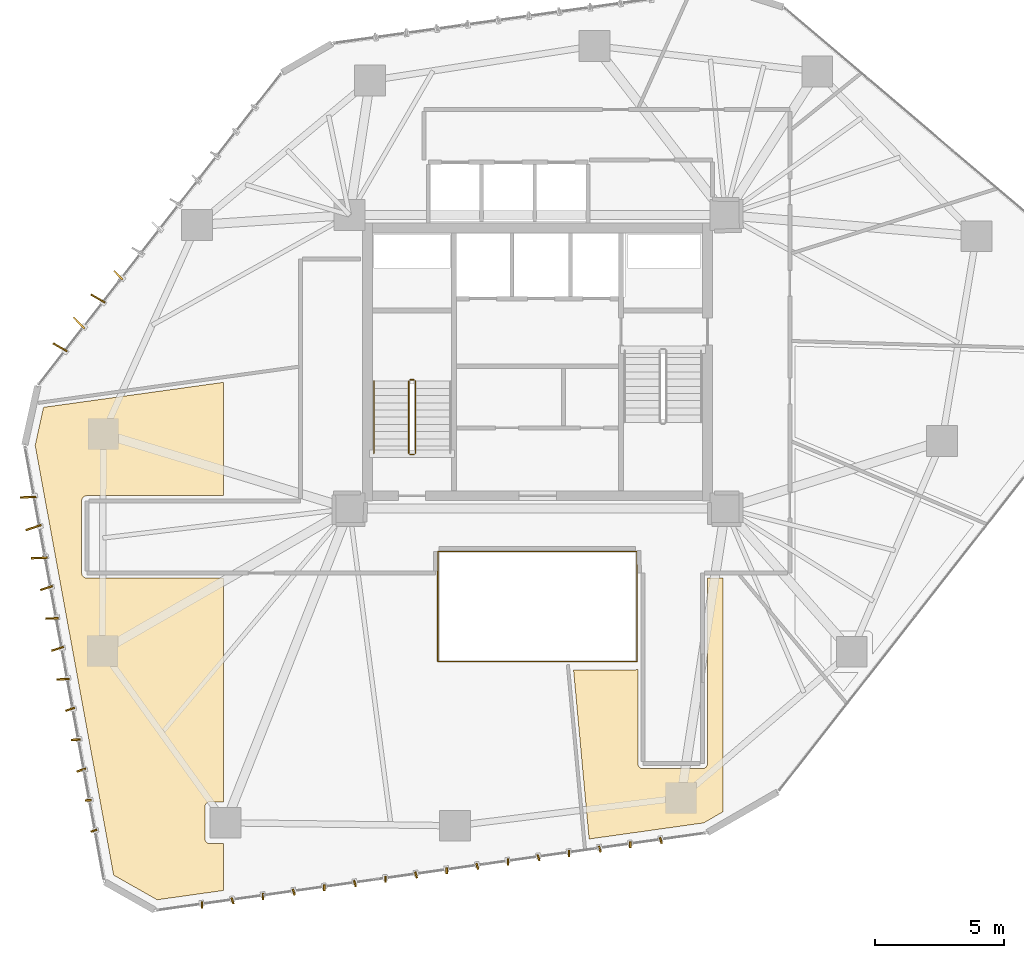
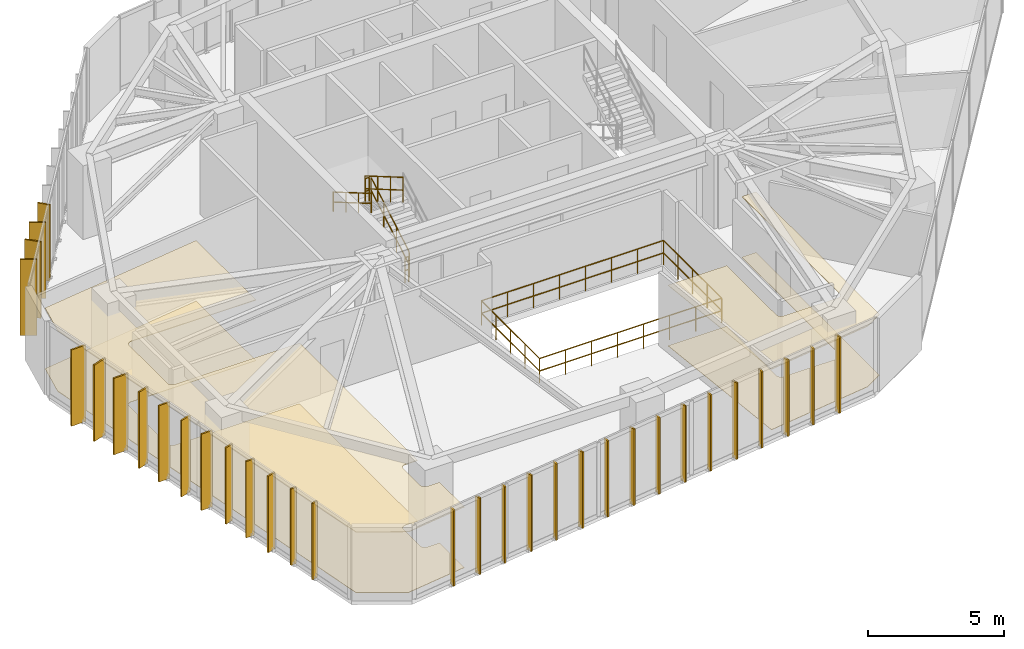
# One storey, part 22 of 24: 32 shading devices, 9 railings, 4 coverings.
"""IFC4 building model written with IfcOpenShell, lengths in metres."""

from ifc_helpers import new_model, si_unit, direction, frame, origin, origin_2d, place, context, subcontext, project, spatial, polyline, rectangle, circle, outline, extrude, source, transform, mapped, material, layer, layer_set, type_object, type_shapes, element, save


model = new_model("IFC4")

# Units and contexts
model_context = context("Model", 3, precision=1e-05, world=origin(), true_north=direction((0.0, 1.0)))
body_context = subcontext(model_context, "Body", "Model", "MODEL_VIEW")
ifc_project = project(units=[si_unit("LENGTHUNIT", "METRE"), si_unit("AREAUNIT", "SQUARE_METRE"), si_unit("VOLUMEUNIT", "CUBIC_METRE"), si_unit("PLANEANGLEUNIT", "RADIAN"), si_unit("MASSUNIT", "GRAM", prefix="KILO")], contexts=[model_context])

# Site, building, storey
site_placement = place(None, origin())
site = spatial("IfcSite", under=ifc_project, at=site_placement, CompositionType="ELEMENT")
building_placement = place(site_placement, origin())
building = spatial("IfcBuilding", under=site, at=building_placement, Name="Talar Marvaseh", CompositionType="ELEMENT")
storey_placement = place(building_placement, frame((0.0, 0.0, 114.60009765625)))
storey = spatial("IfcBuildingStorey", under=building, at=storey_placement, Name="L29", CompositionType="ELEMENT", Elevation=114.60009765625)

# Railings
ifc_material_1 = material(Name="Stainless Steel Grade 316", Category="steel")
railing_type_1 = type_object("IfcRailingType", Name="Brushed Stainless Wall Pitch Handrail 900", PredefinedType="HANDRAIL", material=ifc_material_1)
railing_1_placement = place(storey_placement, frame((19.64990234375, 30.449951171875, 1.963623046875)))
element("IfcRailing", 1, at=railing_1_placement, inside=storey, type_object=railing_type_1, Name="L29 ST-1 stair handrail 2", PredefinedType="HANDRAIL", context=body_context, shape_type="SweptSolid", body=[
    extrude(circle(Radius=0.02392578125, at=origin_2d()), frame((0.0, 0.0, 0.8759765625), z_axis=(0.0, -0.863393664356, 0.504530851732), x_axis=(1.0, 0.0, 0.0)), (0.0, 0.0, 1.0), 3.2431640625),
    extrude(circle(Radius=0.02392578125, at=origin_2d()), frame((0.0, 0.0, 0.42578125), z_axis=(0.0, -0.863393664356, 0.504530851732), x_axis=(1.0, 0.0, 0.0)), (0.0, 0.0, 1.0), 3.2431640625),
    extrude(circle(Radius=0.02099609375, at=origin_2d()), origin(), (0.0, 0.0, 1.0), 0.851806640625),
    extrude(circle(Radius=0.02099609375, at=origin_2d()), frame((0.0, -0.933349609375, 0.54541015625)), (0.0, 0.0, 1.0), 0.851806640625),
    extrude(circle(Radius=0.02099609375, at=origin_2d()), frame((0.0, -1.86669921875, 1.0908203125)), (0.0, 0.0, 1.0), 0.851806640625),
    extrude(circle(Radius=0.02099609375, at=origin_2d()), frame((0.0, -2.800048828125, 1.63623046875)), (0.0, 0.0, 1.0), 0.851806640625),
])
ifc_material_2 = material(Name="Tempered Clear Glass", Category="glass")
railing_type_2 = type_object("IfcRailingType", Name="Interior Atrium Edge Balustrade 1120", PredefinedType="BALUSTRADE", material=ifc_material_2)
railing_2_placement = place(storey_placement, frame((22.1298828125, 19.561279296875, 0.0)))
element("IfcRailing", 2, at=railing_2_placement, inside=storey, type_object=railing_type_2, Name="L29 Internal Daylight Atrium Balustrade 1", PredefinedType="BALUSTRADE", context=body_context, shape_type="SweptSolid", body=[
    extrude(circle(Radius=0.02392578125, at=origin_2d()), frame((0.0, 0.0, 1.09619140625), z_axis=(1.0, 0.0, 0.0), x_axis=(0.0, 1.0, 0.0)), (0.0, 0.0, 1.0), 7.740234375),
    extrude(circle(Radius=0.02392578125, at=origin_2d()), frame((0.0, 0.0, 0.5361328125), z_axis=(1.0, 0.0, 0.0), x_axis=(0.0, 1.0, 0.0)), (0.0, 0.0, 1.0), 7.740234375),
    extrude(circle(Radius=0.02099609375, at=origin_2d()), origin(), (0.0, 0.0, 1.0), 1.072021484375),
    extrude(circle(Radius=0.02099609375, at=origin_2d()), frame((1.105712890625, 0.0, 0.0)), (0.0, 0.0, 1.0), 1.072021484375),
    extrude(circle(Radius=0.02099609375, at=origin_2d()), frame((2.21142578125, 0.0, 0.0)), (0.0, 0.0, 1.0), 1.072021484375),
    extrude(circle(Radius=0.02099609375, at=origin_2d()), frame((3.317138671875, 0.0, 0.0)), (0.0, 0.0, 1.0), 1.072021484375),
    extrude(circle(Radius=0.02099609375, at=origin_2d()), frame((4.423095703125, 0.0, 0.0)), (0.0, 0.0, 1.0), 1.072021484375),
    extrude(circle(Radius=0.02099609375, at=origin_2d()), frame((5.52880859375, 0.0, 0.0)), (0.0, 0.0, 1.0), 1.072021484375),
    extrude(circle(Radius=0.02099609375, at=origin_2d()), frame((6.634521484375, 0.0, 0.0)), (0.0, 0.0, 1.0), 1.072021484375),
    extrude(circle(Radius=0.02099609375, at=origin_2d()), frame((7.740234375, 0.0, 0.0)), (0.0, 0.0, 1.0), 1.072021484375),
])
railing_3_placement = place(storey_placement, frame((29.8701171875, 19.561279296875, 0.0)))
element("IfcRailing", 3, at=railing_3_placement, inside=storey, type_object=railing_type_2, Name="L29 Internal Daylight Atrium Balustrade 2", PredefinedType="BALUSTRADE", context=body_context, shape_type="SweptSolid", body=[
    extrude(circle(Radius=0.02392578125, at=origin_2d()), frame((0.0, 0.0, 1.09619140625), z_axis=(0.0, 1.0, 0.0), x_axis=(-1.0, 0.0, 0.0)), (0.0, 0.0, 1.0), 4.27734375),
    extrude(circle(Radius=0.02392578125, at=origin_2d()), frame((0.0, 0.0, 0.5361328125), z_axis=(0.0, 1.0, 0.0), x_axis=(-1.0, 0.0, 0.0)), (0.0, 0.0, 1.0), 4.27734375),
    extrude(circle(Radius=0.02099609375, at=origin_2d()), origin(), (0.0, 0.0, 1.0), 1.072021484375),
    extrude(circle(Radius=0.02099609375, at=origin_2d()), frame((0.0, 1.0693359375, 0.0)), (0.0, 0.0, 1.0), 1.072021484375),
    extrude(circle(Radius=0.02099609375, at=origin_2d()), frame((0.0, 2.138671875, 0.0)), (0.0, 0.0, 1.0), 1.072021484375),
    extrude(circle(Radius=0.02099609375, at=origin_2d()), frame((0.0, 3.2080078125, 0.0)), (0.0, 0.0, 1.0), 1.072021484375),
    extrude(circle(Radius=0.02099609375, at=origin_2d()), frame((0.0, 4.27734375, 0.0)), (0.0, 0.0, 1.0), 1.072021484375),
])
railing_4_placement = place(storey_placement, frame((29.8701171875, 23.838623046875, 0.0)))
element("IfcRailing", 4, at=railing_4_placement, inside=storey, type_object=railing_type_2, Name="L29 Internal Daylight Atrium Balustrade 3", PredefinedType="BALUSTRADE", context=body_context, shape_type="SweptSolid", body=[
    extrude(circle(Radius=0.02392578125, at=origin_2d()), frame((0.0, 0.0, 1.09619140625), z_axis=(-1.0, 0.0, 0.0), x_axis=(0.0, -1.0, 0.0)), (0.0, 0.0, 1.0), 7.740234375),
    extrude(circle(Radius=0.02392578125, at=origin_2d()), frame((0.0, 0.0, 0.5361328125), z_axis=(-1.0, 0.0, 0.0), x_axis=(0.0, -1.0, 0.0)), (0.0, 0.0, 1.0), 7.740234375),
    extrude(circle(Radius=0.02099609375, at=origin_2d()), origin(), (0.0, 0.0, 1.0), 1.072021484375),
    extrude(circle(Radius=0.02099609375, at=origin_2d()), frame((-1.105712890625, 0.0, 0.0)), (0.0, 0.0, 1.0), 1.072021484375),
    extrude(circle(Radius=0.02099609375, at=origin_2d()), frame((-2.21142578125, 0.0, 0.0)), (0.0, 0.0, 1.0), 1.072021484375),
    extrude(circle(Radius=0.02099609375, at=origin_2d()), frame((-3.317138671875, 0.0, 0.0)), (0.0, 0.0, 1.0), 1.072021484375),
    extrude(circle(Radius=0.02099609375, at=origin_2d()), frame((-4.423095703125, 0.0, 0.0)), (0.0, 0.0, 1.0), 1.072021484375),
    extrude(circle(Radius=0.02099609375, at=origin_2d()), frame((-5.52880859375, 0.0, 0.0)), (0.0, 0.0, 1.0), 1.072021484375),
    extrude(circle(Radius=0.02099609375, at=origin_2d()), frame((-6.634521484375, 0.0, 0.0)), (0.0, 0.0, 1.0), 1.072021484375),
    extrude(circle(Radius=0.02099609375, at=origin_2d()), frame((-7.740234375, 0.0, 0.0)), (0.0, 0.0, 1.0), 1.072021484375),
])
railing_5_placement = place(storey_placement, frame((22.1298828125, 23.838623046875, 0.0)))
element("IfcRailing", 5, at=railing_5_placement, inside=storey, type_object=railing_type_2, Name="L29 Internal Daylight Atrium Balustrade 4", PredefinedType="BALUSTRADE", context=body_context, shape_type="SweptSolid", body=[
    extrude(circle(Radius=0.02392578125, at=origin_2d()), frame((0.0, 0.0, 1.09619140625), z_axis=(0.0, -1.0, 0.0), x_axis=(1.0, 0.0, 0.0)), (0.0, 0.0, 1.0), 4.27734375),
    extrude(circle(Radius=0.02392578125, at=origin_2d()), frame((0.0, 0.0, 0.5361328125), z_axis=(0.0, -1.0, 0.0), x_axis=(1.0, 0.0, 0.0)), (0.0, 0.0, 1.0), 4.27734375),
    extrude(circle(Radius=0.02099609375, at=origin_2d()), origin(), (0.0, 0.0, 1.0), 1.072021484375),
    extrude(circle(Radius=0.02099609375, at=origin_2d()), frame((0.0, -1.0693359375, 0.0)), (0.0, 0.0, 1.0), 1.072021484375),
    extrude(circle(Radius=0.02099609375, at=origin_2d()), frame((0.0, -2.138671875, 0.0)), (0.0, 0.0, 1.0), 1.072021484375),
    extrude(circle(Radius=0.02099609375, at=origin_2d()), frame((0.0, -3.2080078125, 0.0)), (0.0, 0.0, 1.0), 1.072021484375),
    extrude(circle(Radius=0.02099609375, at=origin_2d()), frame((0.0, -4.27734375, 0.0)), (0.0, 0.0, 1.0), 1.072021484375),
])
railing_type_3 = type_object("IfcRailingType", Name="Painted Steel Core Stair Well Guardrail 1150", PredefinedType="GUARDRAIL", material=ifc_material_1)
railing_6_placement = place(storey_placement, frame((21.260009765625, 27.64990234375, 0.16357421875)))
element("IfcRailing", 6, at=railing_6_placement, inside=storey, type_object=railing_type_3, Name="L29 ST-1 stair guard 1", PredefinedType="GUARDRAIL", context=body_context, shape_type="SweptSolid", body=[
    extrude(circle(Radius=0.02392578125, at=origin_2d()), frame((0.0, 0.0, 1.1259765625), z_axis=(0.0, 0.863393664356, 0.504530851732), x_axis=(-1.0, 0.0, 0.0)), (0.0, 0.0, 1.0), 3.2431640625),
    extrude(circle(Radius=0.02392578125, at=origin_2d()), frame((0.0, 0.0, 0.55078125), z_axis=(0.0, 0.863393664356, 0.504530851732), x_axis=(-1.0, 0.0, 0.0)), (0.0, 0.0, 1.0), 3.2431640625),
    extrude(circle(Radius=0.02099609375, at=origin_2d()), origin(), (0.0, 0.0, 1.0), 1.101806640625),
    extrude(circle(Radius=0.02099609375, at=origin_2d()), frame((0.0, 0.933349609375, 0.54541015625)), (0.0, 0.0, 1.0), 1.101806640625),
    extrude(circle(Radius=0.02099609375, at=origin_2d()), frame((0.0, 1.86669921875, 1.0908203125)), (0.0, 0.0, 1.0), 1.101806640625),
    extrude(circle(Radius=0.02099609375, at=origin_2d()), frame((0.0, 2.800048828125, 1.63623046875)), (0.0, 0.0, 1.0), 1.101806640625),
])
railing_7_placement = place(storey_placement, frame((21.2099609375, 30.5, 1.7998046875)))
element("IfcRailing", 7, at=railing_7_placement, inside=storey, type_object=railing_type_3, Name="L29 ST-1 stair guard 2", PredefinedType="GUARDRAIL", context=body_context, shape_type="SweptSolid", body=[
    extrude(circle(Radius=0.02392578125, at=origin_2d()), frame((0.0, 0.0, 1.1259765625), z_axis=(-1.0, 0.0, 0.0), x_axis=(0.0, -1.0, 0.0)), (0.0, 0.0, 1.0), 0.159912109375),
    extrude(circle(Radius=0.02392578125, at=origin_2d()), frame((0.0, 0.0, 0.55078125), z_axis=(-1.0, 0.0, 0.0), x_axis=(0.0, -1.0, 0.0)), (0.0, 0.0, 1.0), 0.159912109375),
    extrude(circle(Radius=0.02099609375, at=origin_2d()), origin(), (0.0, 0.0, 1.0), 1.101806640625),
    extrude(circle(Radius=0.02099609375, at=origin_2d()), frame((-0.159912109375, 0.0, 0.0)), (0.0, 0.0, 1.0), 1.101806640625),
])
railing_8_placement = place(storey_placement, frame((21.0, 30.449951171875, 1.963623046875)))
element("IfcRailing", 8, at=railing_8_placement, inside=storey, type_object=railing_type_3, Name="L29 ST-1 stair guard 3", PredefinedType="GUARDRAIL", context=body_context, shape_type="SweptSolid", body=[
    extrude(circle(Radius=0.02392578125, at=origin_2d()), frame((0.0, 0.0, 1.1259765625), z_axis=(0.0, -0.863393664356, 0.504530851732), x_axis=(1.0, 0.0, 0.0)), (0.0, 0.0, 1.0), 3.2431640625),
    extrude(circle(Radius=0.02392578125, at=origin_2d()), frame((0.0, 0.0, 0.55078125), z_axis=(0.0, -0.863393664356, 0.504530851732), x_axis=(1.0, 0.0, 0.0)), (0.0, 0.0, 1.0), 3.2431640625),
    extrude(circle(Radius=0.02099609375, at=origin_2d()), origin(), (0.0, 0.0, 1.0), 1.101806640625),
    extrude(circle(Radius=0.02099609375, at=origin_2d()), frame((0.0, -0.933349609375, 0.54541015625)), (0.0, 0.0, 1.0), 1.101806640625),
    extrude(circle(Radius=0.02099609375, at=origin_2d()), frame((0.0, -1.86669921875, 1.0908203125)), (0.0, 0.0, 1.0), 1.101806640625),
    extrude(circle(Radius=0.02099609375, at=origin_2d()), frame((0.0, -2.800048828125, 1.63623046875)), (0.0, 0.0, 1.0), 1.101806640625),
])
railing_9_placement = place(storey_placement, frame((21.2099609375, 27.60009765625, 0.0)))
element("IfcRailing", 9, at=railing_9_placement, inside=storey, type_object=railing_type_3, Name="L29 ST-1 stair guard 4", PredefinedType="GUARDRAIL", context=body_context, shape_type="SweptSolid", body=[
    extrude(circle(Radius=0.02392578125, at=origin_2d()), frame((0.0, 0.0, 1.1259765625), z_axis=(-1.0, 0.0, 0.0), x_axis=(0.0, -1.0, 0.0)), (0.0, 0.0, 1.0), 0.159912109375),
    extrude(circle(Radius=0.02392578125, at=origin_2d()), frame((0.0, 0.0, 0.55078125), z_axis=(-1.0, 0.0, 0.0), x_axis=(0.0, -1.0, 0.0)), (0.0, 0.0, 1.0), 0.159912109375),
    extrude(circle(Radius=0.02099609375, at=origin_2d()), origin(), (0.0, 0.0, 1.0), 1.101806640625),
    extrude(circle(Radius=0.02099609375, at=origin_2d()), frame((-0.159912109375, 0.0, 0.0)), (0.0, 0.0, 1.0), 1.101806640625),
])

# Coverings
ifc_material_3 = material(Name="Mineral Fibre Acoustic Ceiling")
ifc_layer_1 = layer(ifc_material_3, 0.02490234375)
ifc_layer_set_1 = layer_set([ifc_layer_1], Name="Mineral Fibre Acoustic Ceiling")
covering_type_1 = type_object("IfcCoveringType", Name="Perforated Mineral Fibre Acoustic Suspended Ceiling", PredefinedType="CEILING", material=ifc_layer_set_1)
covering_1_placement = place(storey_placement, frame((0.0, 0.0, 2.719970703125)))
element("IfcCovering", 10, at=covering_1_placement, inside=storey, type_object=covering_type_1, Name="L29 Curatorial Office Acoustic Ceiling", PredefinedType="CEILING", context=body_context, shape_type="SweptSolid", body=[
    extrude(outline(polyline([(6.818115234375, 29.433349609375), (13.800048828125, 30.4033203125), (13.800048828125, 26.0), (8.5, 26.0), (8.48046875, 25.9990234375), (8.4609375, 25.99609375), (8.44189453125, 25.991455078125), (8.423583984375, 25.98486328125), (8.40576171875, 25.976318359375), (8.388916015625, 25.96630859375), (8.373046875, 25.95458984375), (8.358642578125, 25.94140625), (8.345458984375, 25.927001953125), (8.333740234375, 25.9111328125), (8.323486328125, 25.894287109375), (8.315185546875, 25.87646484375), (8.30859375, 25.858154296875), (8.3037109375, 25.839111328125), (8.301025390625, 25.819580078125), (8.300048828125, 25.800048828125), (8.300048828125, 23.0), (8.301025390625, 22.98046875), (8.3037109375, 22.9609375), (8.30859375, 22.94189453125), (8.315185546875, 22.923583984375), (8.323486328125, 22.90576171875), (8.333740234375, 22.888916015625), (8.345458984375, 22.873046875), (8.358642578125, 22.858642578125), (8.373046875, 22.845458984375), (8.388916015625, 22.833740234375), (8.40576171875, 22.823486328125), (8.423583984375, 22.815185546875), (8.44189453125, 22.80859375), (8.4609375, 22.8037109375), (8.48046875, 22.801025390625), (8.5, 22.800048828125), (13.800048828125, 22.800048828125), (13.800048828125, 14.111572265625), (13.27978515625, 14.109619140625), (13.260009765625, 14.108642578125), (13.24072265625, 14.105712890625), (13.2216796875, 14.100830078125), (13.203369140625, 14.09423828125), (13.185791015625, 14.085693359375), (13.1689453125, 14.07568359375), (13.1533203125, 14.06396484375), (13.138671875, 14.05078125), (13.12548828125, 14.0361328125), (13.114013671875, 14.0205078125), (13.10400390625, 14.003662109375), (13.095703125, 13.986083984375), (13.089111328125, 13.967529296875), (13.084228515625, 13.948486328125), (13.081298828125, 13.92919921875), (13.080322265625, 13.90966796875), (13.080322265625, 12.6884765625), (13.081298828125, 12.668701171875), (13.084228515625, 12.6494140625), (13.089111328125, 12.63037109375), (13.095703125, 12.61181640625), (13.10400390625, 12.593994140625), (13.114013671875, 12.577392578125), (13.125732421875, 12.5615234375), (13.138916015625, 12.547119140625), (13.153564453125, 12.53369140625), (13.169189453125, 12.522216796875), (13.18603515625, 12.511962890625), (13.203857421875, 12.503662109375), (13.222412109375, 12.4970703125), (13.241455078125, 12.4921875), (13.2607421875, 12.489501953125), (13.280517578125, 12.48828125), (13.800048828125, 12.48828125), (13.800048828125, 10.66943359375), (11.2294921875, 10.307861328125), (9.540283203125, 11.266357421875), (6.49365234375, 27.954833984375), (6.818115234375, 29.433349609375)])), origin(), (0.0, 0.0, 1.0), 0.02490234375),
])
covering_2_placement = place(storey_placement, frame((0.0, 0.0, 2.719970703125)))
element("IfcCovering", 11, at=covering_2_placement, inside=storey, type_object=covering_type_1, Name="L29 Gallery Concierge Reception Acoustic Ceiling", PredefinedType="CEILING", context=body_context, shape_type="SweptSolid", body=[
    extrude(outline(polyline([(29.90087890625, 15.580322265625), (29.90380859375, 15.56103515625), (29.90869140625, 15.5419921875), (29.915283203125, 15.5234375), (29.923583984375, 15.505615234375), (29.93359375, 15.489013671875), (29.9453125, 15.47314453125), (29.95849609375, 15.45849609375), (29.97314453125, 15.4453125), (29.989013671875, 15.43359375), (30.005615234375, 15.423583984375), (30.0234375, 15.415283203125), (30.0419921875, 15.40869140625), (30.06103515625, 15.40380859375), (30.080322265625, 15.40087890625), (30.10009765625, 15.39990234375), (32.39990234375, 15.39990234375), (32.419677734375, 15.40087890625), (32.43896484375, 15.40380859375), (32.4580078125, 15.40869140625), (32.4765625, 15.415283203125), (32.494384765625, 15.423583984375), (32.510986328125, 15.43359375), (32.52685546875, 15.4453125), (32.54150390625, 15.45849609375), (32.5546875, 15.47314453125), (32.56640625, 15.489013671875), (32.576416015625, 15.505615234375), (32.584716796875, 15.5234375), (32.59130859375, 15.5419921875), (32.59619140625, 15.56103515625), (32.59912109375, 15.580322265625), (32.60009765625, 15.60009765625), (32.60009765625, 22.800048828125), (33.199951171875, 22.800048828125), (33.199951171875, 13.7236328125), (32.456298828125, 13.294189453125), (28.005859375, 12.668212890625), (27.401611328125, 19.239990234375), (29.800048828125, 19.239990234375), (29.819580078125, 19.240966796875), (29.839111328125, 19.243896484375), (29.89990234375, 19.256103515625), (29.89990234375, 15.60009765625), (29.90087890625, 15.580322265625)])), origin(), (0.0, 0.0, 1.0), 0.02490234375),
])
ifc_material_4 = material(Name="Porcelain Stoneware Tile", Category="masonry")
ifc_layer_2 = layer(ifc_material_4, 0.02001953125)
ifc_layer_set_2 = layer_set([ifc_layer_2], Name="Porcelain Stoneware Tile")
covering_type_2 = type_object("IfcCoveringType", Name="Polished Porcelain Stoneware Gallery Flooring", PredefinedType="FLOORING", material=ifc_layer_set_2)
covering_3_placement = place(storey_placement, origin())
element("IfcCovering", 12, at=covering_3_placement, inside=storey, type_object=covering_type_2, Name="L29 Curatorial Office Flooring", PredefinedType="FLOORING", context=body_context, shape_type="SweptSolid", body=[
    extrude(outline(polyline([(6.818115234375, 29.433349609375), (13.800048828125, 30.4033203125), (13.800048828125, 26.0), (8.5, 26.0), (8.48046875, 25.9990234375), (8.4609375, 25.99609375), (8.44189453125, 25.991455078125), (8.423583984375, 25.98486328125), (8.40576171875, 25.976318359375), (8.388916015625, 25.96630859375), (8.373046875, 25.95458984375), (8.358642578125, 25.94140625), (8.345458984375, 25.927001953125), (8.333740234375, 25.9111328125), (8.323486328125, 25.894287109375), (8.315185546875, 25.87646484375), (8.30859375, 25.858154296875), (8.3037109375, 25.839111328125), (8.301025390625, 25.819580078125), (8.300048828125, 25.800048828125), (8.300048828125, 23.0), (8.301025390625, 22.98046875), (8.3037109375, 22.9609375), (8.30859375, 22.94189453125), (8.315185546875, 22.923583984375), (8.323486328125, 22.90576171875), (8.333740234375, 22.888916015625), (8.345458984375, 22.873046875), (8.358642578125, 22.858642578125), (8.373046875, 22.845458984375), (8.388916015625, 22.833740234375), (8.40576171875, 22.823486328125), (8.423583984375, 22.815185546875), (8.44189453125, 22.80859375), (8.4609375, 22.8037109375), (8.48046875, 22.801025390625), (8.5, 22.800048828125), (13.800048828125, 22.800048828125), (13.800048828125, 14.111572265625), (13.27978515625, 14.109619140625), (13.260009765625, 14.108642578125), (13.24072265625, 14.105712890625), (13.2216796875, 14.100830078125), (13.203369140625, 14.09423828125), (13.185791015625, 14.085693359375), (13.1689453125, 14.07568359375), (13.1533203125, 14.06396484375), (13.138671875, 14.05078125), (13.12548828125, 14.0361328125), (13.114013671875, 14.0205078125), (13.10400390625, 14.003662109375), (13.095703125, 13.986083984375), (13.089111328125, 13.967529296875), (13.084228515625, 13.948486328125), (13.081298828125, 13.92919921875), (13.080322265625, 13.90966796875), (13.080322265625, 12.6884765625), (13.081298828125, 12.668701171875), (13.084228515625, 12.6494140625), (13.089111328125, 12.63037109375), (13.095703125, 12.61181640625), (13.10400390625, 12.593994140625), (13.114013671875, 12.577392578125), (13.125732421875, 12.5615234375), (13.138916015625, 12.547119140625), (13.153564453125, 12.53369140625), (13.169189453125, 12.522216796875), (13.18603515625, 12.511962890625), (13.203857421875, 12.503662109375), (13.222412109375, 12.4970703125), (13.241455078125, 12.4921875), (13.2607421875, 12.489501953125), (13.280517578125, 12.48828125), (13.800048828125, 12.48828125), (13.800048828125, 10.66943359375), (11.2294921875, 10.307861328125), (9.540283203125, 11.266357421875), (6.49365234375, 27.954833984375), (6.818115234375, 29.433349609375)])), origin(), (0.0, 0.0, 1.0), 0.02001953125),
])
covering_4_placement = place(storey_placement, origin())
element("IfcCovering", 13, at=covering_4_placement, inside=storey, type_object=covering_type_2, Name="L29 Gallery Concierge Reception Flooring", PredefinedType="FLOORING", context=body_context, shape_type="SweptSolid", body=[
    extrude(outline(polyline([(29.90087890625, 15.580322265625), (29.90380859375, 15.56103515625), (29.90869140625, 15.5419921875), (29.915283203125, 15.5234375), (29.923583984375, 15.505615234375), (29.93359375, 15.489013671875), (29.9453125, 15.47314453125), (29.95849609375, 15.45849609375), (29.97314453125, 15.4453125), (29.989013671875, 15.43359375), (30.005615234375, 15.423583984375), (30.0234375, 15.415283203125), (30.0419921875, 15.40869140625), (30.06103515625, 15.40380859375), (30.080322265625, 15.40087890625), (30.10009765625, 15.39990234375), (32.39990234375, 15.39990234375), (32.419677734375, 15.40087890625), (32.43896484375, 15.40380859375), (32.4580078125, 15.40869140625), (32.4765625, 15.415283203125), (32.494384765625, 15.423583984375), (32.510986328125, 15.43359375), (32.52685546875, 15.4453125), (32.54150390625, 15.45849609375), (32.5546875, 15.47314453125), (32.56640625, 15.489013671875), (32.576416015625, 15.505615234375), (32.584716796875, 15.5234375), (32.59130859375, 15.5419921875), (32.59619140625, 15.56103515625), (32.59912109375, 15.580322265625), (32.60009765625, 15.60009765625), (32.60009765625, 22.800048828125), (33.199951171875, 22.800048828125), (33.199951171875, 13.7236328125), (32.456298828125, 13.294189453125), (28.005859375, 12.668212890625), (27.401611328125, 19.239990234375), (29.800048828125, 19.239990234375), (29.819580078125, 19.240966796875), (29.839111328125, 19.243896484375), (29.89990234375, 19.256103515625), (29.89990234375, 15.60009765625), (29.90087890625, 15.580322265625)])), origin(), (0.0, 0.0, 1.0), 0.02001953125),
])

# Shading devices
ifc_material_5 = material(Name="Anodised Champagne Bronze Aluminium", Category="aluminium")
ifc_layer_3 = layer(ifc_material_5, 0.06494140625)
ifc_layer_set_3 = layer_set([ifc_layer_3], Name="Anodised Champagne Bronze Aluminium")
shading_device_type_1 = type_object("IfcShadingDeviceType", Name="Sawtooth Champagne Bronze Vertical Fin 240", PredefinedType="USERDEFINED", material=ifc_layer_set_3)
shared_shape_1 = source(origin(), body_context, "Body", "SweptSolid", [
    extrude(rectangle(XDim=0.239990234375, YDim=0.06494140625, at=origin_2d()), origin(), (0.0, 0.0, 1.0), 3.429931640625),
])
type_shapes(shading_device_type_1, [shared_shape_1])
for number, where, z_axis, x_axis, name in (
    (14, (8.772705078125, 12.993408203125, -0.1201171875), (0.0, 0.0, 1.0), (-0.949151106053, -0.314820866332, 0.0), "L29 Sawtooth Vertical Solar Fin"),
    (15, (8.55712890625, 14.173828125, -0.1201171875), (0.0, 0.0, 1.0), (-0.999158993058, -0.041003738744, 0.0), "L29 Sawtooth Vertical Solar Fin"),
    (16, (30.79248046875, 12.61083984375, -0.1201171875), (0.0, 0.0, 1.0), (0.275805123434, -0.961213573504, 0.0), "L29 Sawtooth Vertical Solar Fin"),
    (17, (29.604248046875, 12.443603515625, -0.1201171875), (0.0, 0.0, 1.0), (0.000174532924, -0.999999984769, 0.0), "L29 Sawtooth Vertical Solar Fin"),
    (18, (28.416015625, 12.276611328125, -0.1201171875), (0.0, 0.0, 1.0), (0.275805123434, -0.961213573504, 0.0), "L29 Sawtooth Vertical Solar Fin"),
    (19, (27.2275390625, 12.109375, -0.1201171875), (0.0, 0.0, 1.0), (0.000174532924, -0.999999984769, 0.0), "L29 Sawtooth Vertical Solar Fin"),
    (20, (26.039306640625, 11.942138671875, -0.1201171875), (0.0, 0.0, 1.0), (0.275805123434, -0.961213573504, 0.0), "L29 Sawtooth Vertical Solar Fin"),
    (21, (24.85107421875, 11.77490234375, -0.1201171875), (0.0, 0.0, 1.0), (0.000174532924, -0.999999984769, 0.0), "L29 Sawtooth Vertical Solar Fin"),
    (22, (23.66259765625, 11.60791015625, -0.1201171875), (0.0, 0.0, 1.0), (0.275805123434, -0.961213573504, 0.0), "L29 Sawtooth Vertical Solar Fin"),
    (23, (22.474365234375, 11.440673828125, -0.1201171875), (0.0, 0.0, 1.0), (0.000174532924, -0.999999984769, 0.0), "L29 Sawtooth Vertical Solar Fin"),
    (24, (21.2861328125, 11.2734375, -0.1201171875), (0.0, 0.0, 1.0), (0.275805123434, -0.961213573504, 0.0), "L29 Sawtooth Vertical Solar Fin"),
    (25, (20.097900390625, 11.106201171875, -0.1201171875), (0.0, 0.0, 1.0), (0.000174532924, -0.999999984769, 0.0), "L29 Sawtooth Vertical Solar Fin"),
    (26, (18.909423828125, 10.93896484375, -0.1201171875), (0.0, 0.0, 1.0), (0.275805123434, -0.961213573504, 0.0), "L29 Sawtooth Vertical Solar Fin"),
    (27, (17.72119140625, 10.771728515625, -0.1201171875), (0.0, 0.0, 1.0), (0.000174532924, -0.999999984769, 0.0), "L29 Sawtooth Vertical Solar Fin"),
    (28, (16.532958984375, 10.6044921875, -0.1201171875), (0.0, 0.0, 1.0), (0.275805123434, -0.961213573504, 0.0), "L29 Sawtooth Vertical Solar Fin"),
    (29, (15.3447265625, 10.4375, -0.1201171875), (0.0, 0.0, 1.0), (0.000174532924, -0.999999984769, 0.0), "L29 Sawtooth Vertical Solar Fin"),
    (30, (14.156494140625, 10.270263671875, -0.1201171875), (0.0, 0.0, 1.0), (0.275805123434, -0.961213573504, 0.0), "L29 Sawtooth Vertical Solar Fin"),
    (31, (12.968017578125, 10.10302734375, -0.1201171875), (0.0, 0.0, 1.0), (0.000174532924, -0.999999984769, 0.0), "L29 Sawtooth Vertical Solar Fin"),
):
    element("IfcShadingDevice", number, at=place(storey_placement, frame(where, z_axis=z_axis, x_axis=x_axis)), inside=storey, type_object=shading_device_type_1, Name=name, ObjectType="FIN", PredefinedType="USERDEFINED", context=body_context, shape_type="MappedRepresentation", body=[
        mapped(shared_shape_1, transform((0.0, 0.0, 0.0), x_axis=(1.0, 0.0, 0.0), y_axis=(0.0, 1.0, 0.0), z_axis=(0.0, 0.0, 1.0), scale=1.0)),
    ])
ifc_layer_4 = layer(ifc_material_5, 0.06494140625)
ifc_layer_set_4 = layer_set([ifc_layer_4], Name="Anodised Champagne Bronze Aluminium")
shading_device_type_2 = type_object("IfcShadingDeviceType", Name="Sawtooth Champagne Bronze Vertical Fin 360", PredefinedType="USERDEFINED", material=ifc_layer_set_4)
shared_shape_2 = source(origin(), body_context, "Body", "SweptSolid", [
    extrude(rectangle(XDim=0.360107421875, YDim=0.06494140625, at=origin_2d()), origin(), (0.0, 0.0, 1.0), 3.429931640625),
])
type_shapes(shading_device_type_2, [shared_shape_2])
for number, where, z_axis, x_axis, name in (
    (32, (8.28271484375, 15.34375, -0.1201171875), (0.0, 0.0, 1.0), (-0.949151106053, -0.314820866332, 0.0), "L29 Sawtooth Vertical Solar Fin"),
    (33, (8.067138671875, 16.524169921875, -0.1201171875), (0.0, 0.0, 1.0), (-0.999158993058, -0.041003738744, 0.0), "L29 Sawtooth Vertical Solar Fin"),
    (34, (7.8515625, 17.70458984375, -0.1201171875), (0.0, 0.0, 1.0), (-0.949151106053, -0.314820866332, 0.0), "L29 Sawtooth Vertical Solar Fin"),
):
    element("IfcShadingDevice", number, at=place(storey_placement, frame(where, z_axis=z_axis, x_axis=x_axis)), inside=storey, type_object=shading_device_type_2, Name=name, ObjectType="FIN", PredefinedType="USERDEFINED", context=body_context, shape_type="MappedRepresentation", body=[
        mapped(shared_shape_2, transform((0.0, 0.0, 0.0), x_axis=(1.0, 0.0, 0.0), y_axis=(0.0, 1.0, 0.0), z_axis=(0.0, 0.0, 1.0), scale=1.0)),
    ])
ifc_layer_5 = layer(ifc_material_5, 0.06494140625)
ifc_layer_set_5 = layer_set([ifc_layer_5], Name="Anodised Champagne Bronze Aluminium")
shading_device_type_3 = type_object("IfcShadingDeviceType", Name="Sawtooth Champagne Bronze Vertical Fin 480", PredefinedType="USERDEFINED", material=ifc_layer_set_5)
shared_shape_3 = source(origin(), body_context, "Body", "SweptSolid", [
    extrude(rectangle(XDim=0.47998046875, YDim=0.06494140625, at=origin_2d()), origin(), (0.0, 0.0, 1.0), 3.429931640625),
])
type_shapes(shading_device_type_3, [shared_shape_3])
for number, where, z_axis, x_axis, name in (
    (35, (7.5771484375, 18.874267578125, -0.1201171875), (0.0, 0.0, 1.0), (-0.999158993058, -0.041003738744, 0.0), "L29 Sawtooth Vertical Solar Fin"),
    (36, (7.361572265625, 20.0546875, -0.1201171875), (0.0, 0.0, 1.0), (-0.949151106053, -0.314820866332, 0.0), "L29 Sawtooth Vertical Solar Fin"),
    (37, (7.14599609375, 21.2353515625, -0.1201171875), (0.0, 0.0, 1.0), (-0.999158993058, -0.041003738744, 0.0), "L29 Sawtooth Vertical Solar Fin"),
    (38, (6.930419921875, 22.415771484375, -0.1201171875), (0.0, 0.0, 1.0), (-0.949151106053, -0.314820866332, 0.0), "L29 Sawtooth Vertical Solar Fin"),
    (39, (9.72607421875, 34.56201171875, -0.1201171875), (0.0, 0.0, 1.0), (-0.695536691165, 0.718490578396, 0.0), "L29 Sawtooth Vertical Solar Fin"),
):
    element("IfcShadingDevice", number, at=place(storey_placement, frame(where, z_axis=z_axis, x_axis=x_axis)), inside=storey, type_object=shading_device_type_3, Name=name, ObjectType="FIN", PredefinedType="USERDEFINED", context=body_context, shape_type="MappedRepresentation", body=[
        mapped(shared_shape_3, transform((0.0, 0.0, 0.0), x_axis=(1.0, 0.0, 0.0), y_axis=(0.0, 1.0, 0.0), z_axis=(0.0, 0.0, 1.0), scale=1.0)),
    ])
ifc_layer_6 = layer(ifc_material_5, 0.06494140625)
ifc_layer_set_6 = layer_set([ifc_layer_6], Name="Anodised Champagne Bronze Aluminium")
shading_device_type_4 = type_object("IfcShadingDeviceType", Name="Sawtooth Champagne Bronze Vertical Fin 620", PredefinedType="USERDEFINED", material=ifc_layer_set_6)
shared_shape_4 = source(origin(), body_context, "Body", "SweptSolid", [
    extrude(rectangle(XDim=0.6201171875, YDim=0.06494140625, at=origin_2d()), origin(), (0.0, 0.0, 1.0), 3.429931640625),
])
type_shapes(shading_device_type_4, [shared_shape_4])
for number, where, z_axis, x_axis, name in (
    (40, (6.646240234375, 23.583740234375, -0.1201171875), (0.0, 0.0, 1.0), (-0.999158993058, -0.041003738744, 0.0), "L29 Sawtooth Vertical Solar Fin"),
    (41, (6.4306640625, 24.76416015625, -0.1201171875), (0.0, 0.0, 1.0), (-0.949151106053, -0.314820866332, 0.0), "L29 Sawtooth Vertical Solar Fin"),
    (42, (6.215087890625, 25.944580078125, -0.1201171875), (0.0, 0.0, 1.0), (-0.999158993058, -0.041003738744, 0.0), "L29 Sawtooth Vertical Solar Fin"),
    (43, (7.457763671875, 31.765625, -0.1201171875), (0.0, 0.0, 1.0), (-0.866635622545, 0.498941577478, 0.0), "L29 Sawtooth Vertical Solar Fin"),
    (44, (8.195556640625, 32.712158203125, -0.1201171875), (0.0, 0.0, 1.0), (-0.695536691165, 0.718490578396, 0.0), "L29 Sawtooth Vertical Solar Fin"),
    (45, (8.93310546875, 33.65869140625, -0.1201171875), (0.0, 0.0, 1.0), (-0.866635622545, 0.498941577478, 0.0), "L29 Sawtooth Vertical Solar Fin"),
):
    element("IfcShadingDevice", number, at=place(storey_placement, frame(where, z_axis=z_axis, x_axis=x_axis)), inside=storey, type_object=shading_device_type_4, Name=name, ObjectType="FIN", PredefinedType="USERDEFINED", context=body_context, shape_type="MappedRepresentation", body=[
        mapped(shared_shape_4, transform((0.0, 0.0, 0.0), x_axis=(1.0, 0.0, 0.0), y_axis=(0.0, 1.0, 0.0), z_axis=(0.0, 0.0, 1.0), scale=1.0)),
    ])

save(model, "model.ifc")
